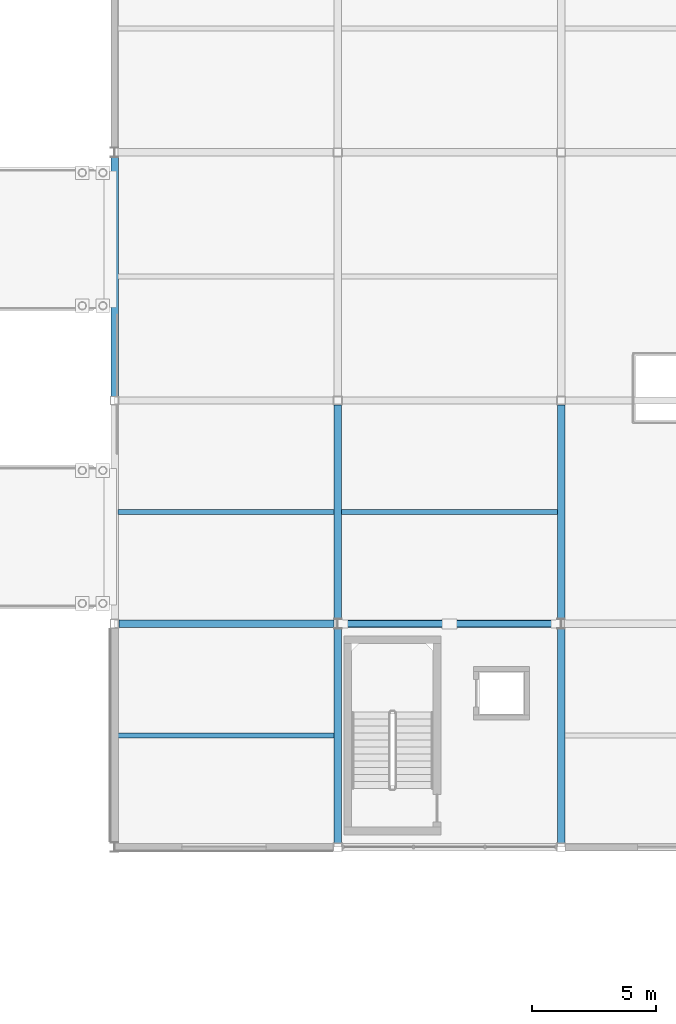
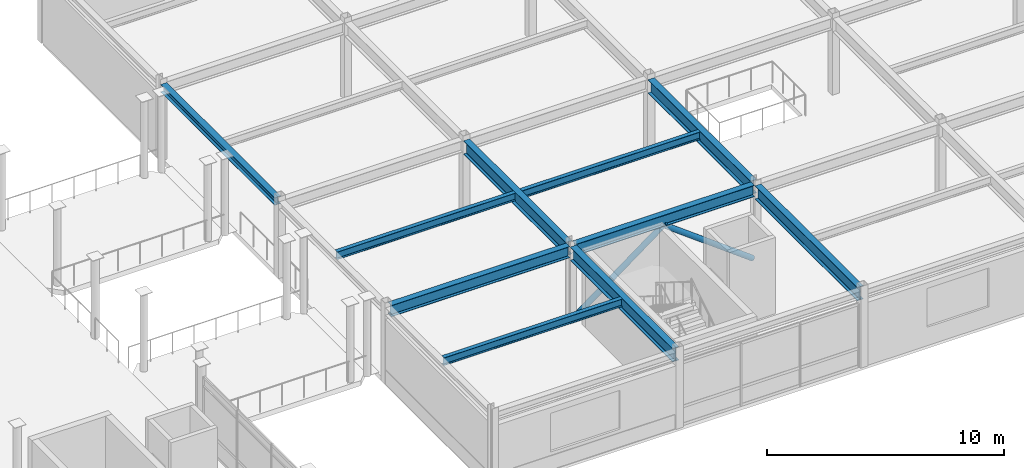
# One storey, part 21 of 53: 10 beams, 2 members.
"""IFC4 building model written with IfcOpenShell, lengths in metres."""

from ifc_helpers import new_model, si_unit, direction, frame, origin, origin_2d, place, context, subcontext, project, spatial, hollow_circle, i_section, extrude, material, material_profile, profile_set, type_object, element, save


model = new_model("IFC4")

# Units and contexts
model_context = context("Model", 3, precision=1e-05, world=origin(), true_north=direction((0.0, 1.0)))
body_context = subcontext(model_context, "Body", "Model", "MODEL_VIEW")
ifc_project = project(units=[si_unit("LENGTHUNIT", "METRE"), si_unit("AREAUNIT", "SQUARE_METRE"), si_unit("VOLUMEUNIT", "CUBIC_METRE"), si_unit("PLANEANGLEUNIT", "RADIAN"), si_unit("MASSUNIT", "GRAM", prefix="KILO")], contexts=[model_context])

# Site, building, storey
site_placement = place(None, origin())
site = spatial("IfcSite", under=ifc_project, at=site_placement, CompositionType="ELEMENT")
building_placement = place(site_placement, origin())
building = spatial("IfcBuilding", under=site, at=building_placement, Name="Suzunagisa Mobility Hub", CompositionType="ELEMENT")
storey_placement = place(building_placement, frame((0.0, 0.0, 17.699951171875)))
storey = spatial("IfcBuildingStorey", under=building, at=storey_placement, Name="L04", CompositionType="ELEMENT", Elevation=17.699951171875)

# Members
ifc_material_1 = material(Name="Steel SN490B", Category="steel")
ifc_material_profile_1 = material_profile(ifc_material_1, hollow_circle(Radius=0.1337890625, WallThickness=0.00927734375, at=origin_2d()), Name="CHS-267.4x9.3")
ifc_profile_set_1 = profile_set([ifc_material_profile_1], Name="Steel SN490B")
member_type = type_object("IfcMemberType", Name="Roof Truss and Brace Member MB-06 CHS-267.4x9.3", PredefinedType="BRACE", material=ifc_profile_set_1)
for number, where, z_axis, x_axis, name in (
    (1, (54.169921875, 89.0, 0.1201171875), (0.801732473454, 0.0, 0.597683060668), (0.0, 1.0, 0.0), "L04 Concentric Lateral Brace BR-35"),
    (2, (62.830078125, 89.0, 0.1201171875), (-0.801732473454, 0.0, 0.597683060668), (0.0, -1.0, 0.0), "L04 Concentric Lateral Brace BR-36"),
):
    element("IfcMember", number, at=place(storey_placement, frame(where, z_axis=z_axis, x_axis=x_axis)), inside=storey, type_object=member_type, Name=name, PredefinedType="BRACE", context=body_context, shape_type="SweptSolid", body=[
        extrude(hollow_circle(Radius=0.1337890625, WallThickness=0.00927734375, at=origin_2d()), origin(), (0.0, 0.0, 1.0), 5.40087890625),
    ])

# Beams
ifc_material_profile_2 = material_profile(ifc_material_1, i_section(OverallWidth=0.300048828125, OverallDepth=0.699951171875, WebThickness=0.012939453125, FlangeThickness=0.02392578125, FilletRadius=0.01806640625, at=origin_2d()), Name="H-700x300x13x24")
ifc_profile_set_2 = profile_set([ifc_material_profile_2], Name="Steel SN490B")
beam_type_1 = type_object("IfcBeamType", Name="Steel Beam BM-11 H-700x300x13x24", PredefinedType="BEAM", material=ifc_profile_set_2)
for number, where, z_axis, x_axis, name in (
    (3, (54.0, 80.1708984375, 3.60009765625), (0.0, 1.0, 0.0), (-1.0, 0.0, 0.0), "L04 Primary Girder GY-1177"),
    (4, (54.0, 89.19091796875, 3.60009765625), (0.0, 1.0, 0.0), (-1.0, 0.0, 0.0), "L04 Primary Girder GY-1178"),
    (5, (63.0, 80.1708984375, 3.60009765625), (0.0, 1.0, 0.0), (-1.0, 0.0, 0.0), "L04 Primary Girder GY-1181"),
    (6, (63.0, 89.19091796875, 3.60009765625), (0.0, 1.0, 0.0), (-1.0, 0.0, 0.0), "L04 Primary Girder GY-1182"),
):
    element("IfcBeam", number, at=place(storey_placement, frame(where, z_axis=z_axis, x_axis=x_axis)), inside=storey, type_object=beam_type_1, Name=name, PredefinedType="BEAM", context=body_context, shape_type="SweptSolid", body=[
        extrude(i_section(OverallWidth=0.300048828125, OverallDepth=0.699951171875, WebThickness=0.012939453125, FlangeThickness=0.02392578125, FilletRadius=0.01806640625, at=origin_2d()), origin(), (0.0, 0.0, 1.0), 8.63818359375),
    ])
ifc_material_profile_3 = material_profile(ifc_material_1, i_section(OverallWidth=0.300048828125, OverallDepth=0.389892578125, WebThickness=0.010009765625, FlangeThickness=0.01611328125, FilletRadius=0.012939453125, at=origin_2d()), Name="H-390x300x10x16")
ifc_profile_set_3 = profile_set([ifc_material_profile_3], Name="Steel SN490B")
beam_type_2 = type_object("IfcBeamType", Name="Steel Beam BM-13 H-390x300x10x16", PredefinedType="SPANDREL", material=ifc_profile_set_3)
beam_1_placement = place(storey_placement, frame((45.0, 98.1708984375, 3.755126953125), z_axis=(0.0, 1.0, 0.0), x_axis=(-1.0, 0.0, 0.0)))
element("IfcBeam", 7, at=beam_1_placement, inside=storey, type_object=beam_type_2, Name="L04 Primary Girder GY-1175", PredefinedType="SPANDREL", context=body_context, shape_type="SweptSolid", body=[
    extrude(i_section(OverallWidth=0.300048828125, OverallDepth=0.389892578125, WebThickness=0.010009765625, FlangeThickness=0.01611328125, FilletRadius=0.012939453125, at=origin_2d()), origin(), (0.0, 0.0, 1.0), 9.63818359375),
])
ifc_material_2 = material(Name="Steel SN400B", Category="steel")
ifc_material_profile_4 = material_profile(ifc_material_2, i_section(OverallWidth=0.199951171875, OverallDepth=0.39990234375, WebThickness=0.008056640625, FlangeThickness=0.012939453125, FilletRadius=0.012939453125, at=origin_2d()), Name="H-400x200x8x13")
ifc_profile_set_4 = profile_set([ifc_material_profile_4], Name="Steel SN400B")
beam_type_3 = type_object("IfcBeamType", Name="Steel Beam BM-14 H-400x200x8x13", PredefinedType="JOIST", material=ifc_profile_set_4)
for number, where, z_axis, x_axis, name in (
    (8, (45.14990234375, 84.5, 3.75), (1.0, 0.0, 0.0), (0.0, 1.0, 0.0), "L04 Composite Floor Joist J-1201"),
    (9, (45.14990234375, 93.5, 3.75), (1.0, 0.0, 0.0), (0.0, 1.0, 0.0), "L04 Composite Floor Joist J-1202"),
    (10, (54.14990234375, 93.5, 3.75), (1.0, 0.0, 0.0), (0.0, 1.0, 0.0), "L04 Composite Floor Joist J-1205"),
):
    element("IfcBeam", number, at=place(storey_placement, frame(where, z_axis=z_axis, x_axis=x_axis)), inside=storey, type_object=beam_type_3, Name=name, PredefinedType="JOIST", context=body_context, shape_type="SweptSolid", body=[
        extrude(i_section(OverallWidth=0.199951171875, OverallDepth=0.39990234375, WebThickness=0.008056640625, FlangeThickness=0.012939453125, FilletRadius=0.012939453125, at=origin_2d()), origin(), (0.0, 0.0, 1.0), 8.7001953125),
    ])
ifc_material_profile_5 = material_profile(ifc_material_1, i_section(OverallWidth=0.300048828125, OverallDepth=0.587890625, WebThickness=0.011962890625, FlangeThickness=0.02001953125, FilletRadius=0.012939453125, at=origin_2d()), Name="H-588x300x12x20")
ifc_profile_set_5 = profile_set([ifc_material_profile_5], Name="Steel SN490B")
beam_type_4 = type_object("IfcBeamType", Name="Steel Beam BM-16 H-588x300x12x20", PredefinedType="BEAM", material=ifc_profile_set_5)
beam_2_placement = place(storey_placement, frame((45.1708984375, 89.0, 3.656005859375), z_axis=(1.0, 0.0, 0.0), x_axis=(0.0, 1.0, 0.0)))
element("IfcBeam", 11, at=beam_2_placement, inside=storey, type_object=beam_type_4, Name="L04 Primary Girder GX-1149", PredefinedType="BEAM", context=body_context, shape_type="SweptSolid", body=[
    extrude(i_section(OverallWidth=0.300048828125, OverallDepth=0.587890625, WebThickness=0.011962890625, FlangeThickness=0.02001953125, FilletRadius=0.012939453125, at=origin_2d()), origin(), (0.0, 0.0, 1.0), 8.68310546875),
])
beam_3_placement = place(storey_placement, frame((54.14599609375, 89.0, 3.656005859375), z_axis=(1.0, 0.0, 0.0), x_axis=(0.0, 1.0, 0.0)))
element("IfcBeam", 12, at=beam_3_placement, inside=storey, type_object=beam_type_4, Name="L04 Primary Girder GX-1150", PredefinedType="BEAM", context=body_context, shape_type="SweptSolid", body=[
    extrude(i_section(OverallWidth=0.300048828125, OverallDepth=0.587890625, WebThickness=0.011962890625, FlangeThickness=0.02001953125, FilletRadius=0.012939453125, at=origin_2d()), origin(), (0.0, 0.0, 1.0), 8.7080078125),
])

save(model, "model.ifc")
